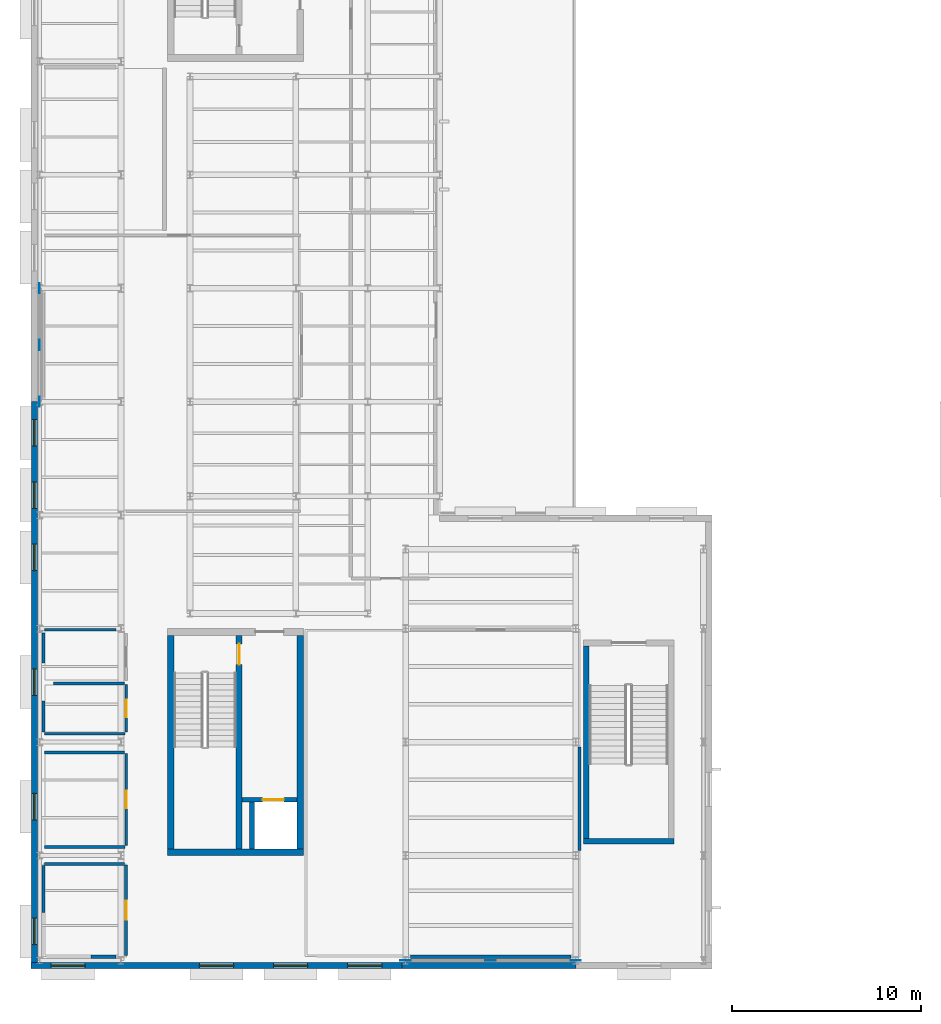
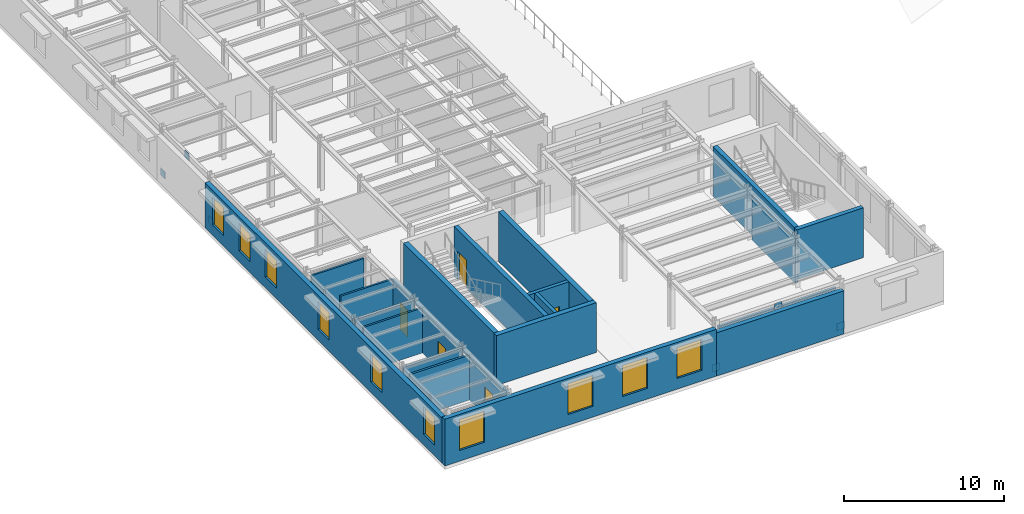
# One storey, part 4 of 13: 26 walls, 10 windows, 6 plates, 5 doors, 15 openings.
"""IFC4 building model written with IfcOpenShell, lengths in metres."""

from ifc_helpers import new_model, si_unit, direction, frame, frame_2d, origin, origin_2d, place, context, subcontext, project, spatial, rectangle, extrude, material, layer, layer_set, type_object, element, fill, save


model = new_model("IFC4")

# Units and contexts
model_context = context("Model", 3, precision=1e-05, world=origin(), true_north=direction((0.0, 1.0)))
body_context = subcontext(model_context, "Body", "Model", "MODEL_VIEW")
ifc_project = project(units=[si_unit("LENGTHUNIT", "METRE"), si_unit("AREAUNIT", "SQUARE_METRE"), si_unit("VOLUMEUNIT", "CUBIC_METRE"), si_unit("PLANEANGLEUNIT", "RADIAN"), si_unit("MASSUNIT", "GRAM", prefix="KILO")], contexts=[model_context])

# Site, building, storey
site_placement = place(None, origin())
site = spatial("IfcSite", under=ifc_project, at=site_placement, CompositionType="ELEMENT")
building_placement = place(site_placement, origin())
building = spatial("IfcBuilding", under=site, at=building_placement, Name="Kolvaren Corner Interchange", CompositionType="ELEMENT")
storey_placement = place(building_placement, frame((0.0, 0.0, 14.699951171875)))
storey = spatial("IfcBuildingStorey", under=building, at=storey_placement, Name="L04", CompositionType="ELEMENT", Elevation=14.699951171875)

# Plates
ifc_material_1 = material(Name="Steel S355", Category="steel")
ifc_layer_1 = layer(ifc_material_1, 0.02490234375)
ifc_layer_set_1 = layer_set([ifc_layer_1], Name="Steel S355")
plate_type = type_object("IfcPlateType", Name="PL-GUSSET-25", PredefinedType="USERDEFINED", material=ifc_layer_set_1)
for number, where, z_axis, x_axis, name in (
    (1, (19.800048828125, 0.449951171875, 0.06494140625), (0.0, 0.0, 1.0), (1.0, 0.0, 0.0), "Storey L04 Bolted Steel Gusset Plate 04 Base Left"),
    (2, (28.800048828125, 0.449951171875, 0.06494140625), (0.0, 0.0, 1.0), (1.0, 0.0, 0.0), "Storey L04 Bolted Steel Gusset Plate 04 Base Right"),
    (3, (24.300048828125, 0.449951171875, 3.18017578125), (0.0, 0.0, 1.0), (1.0, 0.0, 0.0), "Storey L04 Bolted Steel Gusset Plate 04 Apex"),
    (4, (0.449951171875, 30.0, 0.06494140625), (0.0, 0.0, 1.0), (0.0, 1.0, 0.0), "Storey L04 Bolted Steel Gusset Plate 09 Base Left"),
    (5, (0.449951171875, 36.0, 0.06494140625), (0.0, 0.0, 1.0), (0.0, 1.0, 0.0), "Storey L04 Bolted Steel Gusset Plate 09 Base Right"),
    (6, (0.449951171875, 33.0, 3.25), (0.0, 0.0, 1.0), (0.0, 1.0, 0.0), "Storey L04 Bolted Steel Gusset Plate 09 Apex"),
):
    element("IfcPlate", number, at=place(storey_placement, frame(where, z_axis=z_axis, x_axis=x_axis)), inside=storey, type_object=plate_type, Name=name, ObjectType="GUSSET PLATE", PredefinedType="USERDEFINED", context=body_context, shape_type="SweptSolid", body=[
        extrude(rectangle(XDim=0.550048828125, YDim=0.02490234375, at=origin_2d()), origin(), (0.0, 0.0, 1.0), 0.550048828125),
    ])

# Walls
ifc_material_2 = material(Name="Concrete C35/45", Category="concrete")
ifc_layer_2 = layer(ifc_material_2, 0.35009765625)
ifc_layer_set_2 = layer_set([ifc_layer_2], Name="Concrete C35/45")
wall_type_1 = type_object("IfcWallType", Name="WL-CORE-350", PredefinedType="SHEAR", material=ifc_layer_set_2)
wall_1_placement = place(storey_placement, frame((7.199951171875, 6.175048828125, 0.0), z_axis=(0.0, 0.0, 1.0), x_axis=(1.0, 0.0, 0.0)))
element("IfcWall", 7, at=wall_1_placement, inside=storey, type_object=wall_type_1, Name="Core C1 L04 South Shear Wall", PredefinedType="SHEAR", context=body_context, shape_type="SweptSolid", body=[
    extrude(rectangle(XDim=7.199951171875, YDim=0.35009765625, at=frame_2d((3.60009765625, 0.0))), origin(), (0.0, 0.0, 1.0), 3.800048828125),
])
for number, where, z_axis, x_axis, name in (
    (8, (7.375, 6.35009765625, 0.0), (0.0, 0.0, 1.0), (0.0, 1.0, 0.0), "Core C1 L04 West Shear Wall"),
    (9, (14.22509765625, 6.35009765625, 0.0), (0.0, 0.0, 1.0), (0.0, 1.0, 0.0), "Core C1 L04 East Shear Wall"),
):
    element("IfcWall", number, at=place(storey_placement, frame(where, z_axis=z_axis, x_axis=x_axis)), inside=storey, type_object=wall_type_1, Name=name, PredefinedType="SHEAR", context=body_context, shape_type="SweptSolid", body=[
        extrude(rectangle(XDim=11.2998046875, YDim=0.35009765625, at=frame_2d((5.64990234375, 0.0))), origin(), (0.0, 0.0, 1.0), 3.800048828125),
    ])

# Wall, opening, door
ifc_material_3 = material(Name="Concrete C35/45", Category="concrete")
ifc_layer_3 = layer(ifc_material_3, 0.31005859375)
ifc_layer_set_3 = layer_set([ifc_layer_3], Name="Concrete C35/45")
wall_type_2 = type_object("IfcWallType", Name="WL-STAIR-300", PredefinedType="SHEAR", material=ifc_layer_set_3)
wall_2_placement = place(storey_placement, frame((11.0, 6.35009765625, 0.0), z_axis=(0.0, 0.0, 1.0), x_axis=(0.0, 1.0, 0.0)))
wall_2 = element("IfcWall", 10, at=wall_2_placement, inside=storey, type_object=wall_type_2, Name="Core C1 L04 Firefighting Stairwell Divider Wall", PredefinedType="SHEAR", context=body_context, shape_type="SweptSolid", body=[
    extrude(rectangle(XDim=11.2998046875, YDim=0.31005859375, at=frame_2d((5.64990234375, 0.0))), origin(), (0.0, 0.0, 1.0), 3.800048828125),
])
opening_1_placement = place(wall_2_placement, frame((9.75, 0.0, 0.0)))
opening_1 = element("IfcOpeningElement", 11, at=opening_1_placement, cuts=wall_2, Name="Opening D-F03", PredefinedType="OPENING", context=body_context, shape_type="SweptSolid", body=[
    extrude(rectangle(XDim=1.10009765625, YDim=2.14990234375, at=frame_2d((0.550048828125, 1.074951171875))), frame((0.0, 0.1650390625, 0.0), z_axis=(0.0, -1.0, 0.0), x_axis=(1.0, 0.0, 0.0)), (0.0, 0.0, 1.0), 0.330078125),
])
ifc_material_4 = material(Name="Powder-coated Fire-rated Steel Sheet", Category="steel")
door_type_1 = type_object("IfcDoorType", Name="DT-FD-1100x2150", OperationType="NOTDEFINED", PredefinedType="DOOR", material=ifc_material_4)
door_1_placement = place(opening_1_placement, origin())
door_1 = element("IfcDoor", 12, at=door_1_placement, inside=storey, type_object=door_type_1, Name="Core C1 Southwest Firefighting Stair L04 Protected Exit Door", OperationType="SINGLE_SWING_RIGHT", OverallHeight=2.14990234375, OverallWidth=1.10009765625, PredefinedType="DOOR", context=body_context, shape_type="SweptSolid", body=[
    extrude(rectangle(XDim=1.10009765625, YDim=2.14990234375, at=frame_2d((0.550048828125, 1.074951171875))), frame((0.0, 0.02490234375, 0.0), z_axis=(0.0, -1.0, 0.0), x_axis=(1.0, 0.0, 0.0)), (0.0, 0.0, 1.0), 0.050048828125),
])
fill(opening_1, door_1)

# Walls
wall_3_placement = place(storey_placement, frame((29.199951171875, 6.7548828125, 0.0), z_axis=(0.0, 0.0, 1.0), x_axis=(1.0, 0.0, 0.0)))
element("IfcWall", 13, at=wall_3_placement, inside=storey, type_object=wall_type_2, Name="Operations South Bar Protected Exit Stair L04 South Enclosure Wall", PredefinedType="SHEAR", context=body_context, shape_type="SweptSolid", body=[
    extrude(rectangle(XDim=4.800048828125, YDim=0.31005859375, at=frame_2d((2.39990234375, 0.0))), origin(), (0.0, 0.0, 1.0), 3.800048828125),
])
wall_4_placement = place(storey_placement, frame((29.35498046875, 6.909912109375, 0.0), z_axis=(0.0, 0.0, 1.0), x_axis=(0.0, 1.0, 0.0)))
element("IfcWall", 14, at=wall_4_placement, inside=storey, type_object=wall_type_2, Name="Operations South Bar Protected Exit Stair L04 West Enclosure Wall", PredefinedType="SHEAR", context=body_context, shape_type="SweptSolid", body=[
    extrude(rectangle(XDim=10.18017578125, YDim=0.31005859375, at=frame_2d((5.090087890625, 0.0))), origin(), (0.0, 0.0, 1.0), 3.800048828125),
])

# Wall, openings, windows
ifc_material_5 = material(Name="Cream Architectural Terracotta Rainscreen Assembly", Category="masonry")
ifc_layer_4 = layer(ifc_material_5, 0.330078125)
ifc_layer_set_4 = layer_set([ifc_layer_4], Name="Cream Architectural Terracotta Rainscreen Assembly")
wall_type_3 = type_object("IfcWallType", Name="WT-EXT-TC320", PredefinedType="SOLIDWALL", material=ifc_layer_set_4)
wall_5_placement = place(storey_placement, frame((0.0, 0.179931640625, 0.0), z_axis=(0.0, 0.0, 1.0), x_axis=(1.0, 0.0, 0.0)))
wall_5 = element("IfcWall", 15, at=wall_5_placement, inside=storey, type_object=wall_type_3, Name="Operations Boulevard South Facade Wall 0037", PredefinedType="SOLIDWALL", context=body_context, shape_type="SweptSolid", body=[
    extrude(rectangle(XDim=19.60009765625, YDim=0.330078125, at=frame_2d((9.800048828125, 0.0))), origin(), (0.0, 0.0, 1.0), 3.574951171875),
])
opening_2_placement = place(wall_5_placement, frame((1.06005859375, 0.0, 0.820068359375)))
opening_2 = element("IfcOpeningElement", 16, at=opening_2_placement, cuts=wall_5, Name="Opening W-03", PredefinedType="OPENING", context=body_context, shape_type="SweptSolid", body=[
    extrude(rectangle(XDim=1.800048828125, YDim=2.35009765625, at=frame_2d((0.89990234375, 1.175048828125))), frame((0.0, 0.175048828125, 0.0), z_axis=(0.0, -1.0, 0.0), x_axis=(1.0, 0.0, 0.0)), (0.0, 0.0, 1.0), 0.35009765625),
])
opening_3_placement = place(wall_5_placement, frame((8.89990234375, 0.0, 0.820068359375)))
opening_3 = element("IfcOpeningElement", 17, at=opening_3_placement, cuts=wall_5, Name="Opening W-03", PredefinedType="OPENING", context=body_context, shape_type="SweptSolid", body=[
    extrude(rectangle(XDim=1.800048828125, YDim=2.35009765625, at=frame_2d((0.89990234375, 1.175048828125))), frame((0.0, 0.175048828125, 0.0), z_axis=(0.0, -1.0, 0.0), x_axis=(1.0, 0.0, 0.0)), (0.0, 0.0, 1.0), 0.35009765625),
])
opening_4_placement = place(wall_5_placement, frame((12.820068359375, 0.0, 0.820068359375)))
opening_4 = element("IfcOpeningElement", 18, at=opening_4_placement, cuts=wall_5, Name="Opening W-03", PredefinedType="OPENING", context=body_context, shape_type="SweptSolid", body=[
    extrude(rectangle(XDim=1.800048828125, YDim=2.35009765625, at=frame_2d((0.89990234375, 1.175048828125))), frame((0.0, 0.175048828125, 0.0), z_axis=(0.0, -1.0, 0.0), x_axis=(1.0, 0.0, 0.0)), (0.0, 0.0, 1.0), 0.35009765625),
])
opening_5_placement = place(wall_5_placement, frame((16.739990234375, 0.0, 0.820068359375)))
opening_5 = element("IfcOpeningElement", 19, at=opening_5_placement, cuts=wall_5, Name="Opening W-03", PredefinedType="OPENING", context=body_context, shape_type="SweptSolid", body=[
    extrude(rectangle(XDim=1.800048828125, YDim=2.35009765625, at=frame_2d((0.89990234375, 1.175048828125))), frame((0.0, 0.175048828125, 0.0), z_axis=(0.0, -1.0, 0.0), x_axis=(1.0, 0.0, 0.0)), (0.0, 0.0, 1.0), 0.35009765625),
])
ifc_material_6 = material(Name="Thermally Broken Aluminium and Solar-Control Double Glazing", Category="aluminium")
window_type_1 = type_object("IfcWindowType", Name="WT-CHI-1800x2400", PartitioningType="DOUBLE_PANEL_VERTICAL", PredefinedType="WINDOW", material=ifc_material_6)
window_1_placement = place(opening_2_placement, origin())
window_1 = element("IfcWindow", 20, at=window_1_placement, inside=storey, type_object=window_type_1, Name="L04 Operations Boulevard South Facade Window 0086", OverallHeight=2.35009765625, OverallWidth=1.800048828125, PartitioningType="SINGLE_PANEL", PredefinedType="WINDOW", context=body_context, shape_type="SweptSolid", body=[
    extrude(rectangle(XDim=1.800048828125, YDim=2.35009765625, at=frame_2d((0.89990234375, 1.175048828125))), frame((0.0, 0.030029296875, 0.0), z_axis=(0.0, -1.0, 0.0), x_axis=(1.0, 0.0, 0.0)), (0.0, 0.0, 1.0), 0.06005859375),
])
fill(opening_2, window_1)
window_2_placement = place(opening_3_placement, origin())
window_2 = element("IfcWindow", 21, at=window_2_placement, inside=storey, type_object=window_type_1, Name="L04 Operations Boulevard South Facade Window 0087", OverallHeight=2.35009765625, OverallWidth=1.800048828125, PartitioningType="SINGLE_PANEL", PredefinedType="WINDOW", context=body_context, shape_type="SweptSolid", body=[
    extrude(rectangle(XDim=1.800048828125, YDim=2.35009765625, at=frame_2d((0.89990234375, 1.175048828125))), frame((0.0, 0.030029296875, 0.0), z_axis=(0.0, -1.0, 0.0), x_axis=(1.0, 0.0, 0.0)), (0.0, 0.0, 1.0), 0.06005859375),
])
fill(opening_3, window_2)
window_3_placement = place(opening_4_placement, origin())
window_3 = element("IfcWindow", 22, at=window_3_placement, inside=storey, type_object=window_type_1, Name="L04 Operations Boulevard South Facade Window 0088", OverallHeight=2.35009765625, OverallWidth=1.800048828125, PartitioningType="SINGLE_PANEL", PredefinedType="WINDOW", context=body_context, shape_type="SweptSolid", body=[
    extrude(rectangle(XDim=1.800048828125, YDim=2.35009765625, at=frame_2d((0.89990234375, 1.175048828125))), frame((0.0, 0.030029296875, 0.0), z_axis=(0.0, -1.0, 0.0), x_axis=(1.0, 0.0, 0.0)), (0.0, 0.0, 1.0), 0.06005859375),
])
fill(opening_4, window_3)
window_4_placement = place(opening_5_placement, origin())
window_4 = element("IfcWindow", 23, at=window_4_placement, inside=storey, type_object=window_type_1, Name="L04 Operations Boulevard South Facade Window 0089", OverallHeight=2.35009765625, OverallWidth=1.800048828125, PartitioningType="SINGLE_PANEL", PredefinedType="WINDOW", context=body_context, shape_type="SweptSolid", body=[
    extrude(rectangle(XDim=1.800048828125, YDim=2.35009765625, at=frame_2d((0.89990234375, 1.175048828125))), frame((0.0, 0.030029296875, 0.0), z_axis=(0.0, -1.0, 0.0), x_axis=(1.0, 0.0, 0.0)), (0.0, 0.0, 1.0), 0.06005859375),
])
fill(opening_5, window_4)

# Wall
wall_6_placement = place(storey_placement, frame((19.60009765625, 0.179931640625, 0.0), z_axis=(0.0, 0.0, 1.0), x_axis=(1.0, 0.0, 0.0)))
element("IfcWall", 24, at=wall_6_placement, inside=storey, type_object=wall_type_3, Name="Operations Boulevard South Facade Wall 0038", PredefinedType="SOLIDWALL", context=body_context, shape_type="SweptSolid", body=[
    extrude(rectangle(XDim=9.199951171875, YDim=0.330078125, at=frame_2d((4.60009765625, 0.0))), origin(), (0.0, 0.0, 1.0), 3.295166015625),
])

# Wall, openings, windows
wall_7_placement = place(storey_placement, frame((0.169921875, 30.0, 0.0), z_axis=(0.0, 0.0, 1.0), x_axis=(0.0, -1.0, 0.0)))
wall_7 = element("IfcWall", 25, at=wall_7_placement, inside=storey, type_object=wall_type_3, Name="Operations Trelmava Street West Facade Wall 0048", PredefinedType="SOLIDWALL", context=body_context, shape_type="SweptSolid", body=[
    extrude(rectangle(XDim=29.655029296875, YDim=0.330078125, at=frame_2d((14.82763671875, 0.0))), origin(), (0.0, 0.0, 1.0), 3.43505859375),
])
opening_6_placement = place(wall_7_placement, frame((0.947509765625, 0.0, 0.820068359375)))
opening_6 = element("IfcOpeningElement", 26, at=opening_6_placement, cuts=wall_7, Name="Opening W-14", PredefinedType="OPENING", context=body_context, shape_type="SweptSolid", body=[
    extrude(rectangle(XDim=1.39990234375, YDim=2.10009765625, at=frame_2d((0.699951171875, 1.050048828125))), frame((0.0, 0.175048828125, 0.0), z_axis=(0.0, -1.0, 0.0), x_axis=(1.0, 0.0, 0.0)), (0.0, 0.0, 1.0), 0.35009765625),
])
opening_7_placement = place(wall_7_placement, frame((4.242431640625, 0.0, 0.820068359375)))
opening_7 = element("IfcOpeningElement", 27, at=opening_7_placement, cuts=wall_7, Name="Opening W-14", PredefinedType="OPENING", context=body_context, shape_type="SweptSolid", body=[
    extrude(rectangle(XDim=1.39990234375, YDim=2.10009765625, at=frame_2d((0.699951171875, 1.050048828125))), frame((0.0, 0.175048828125, 0.0), z_axis=(0.0, -1.0, 0.0), x_axis=(1.0, 0.0, 0.0)), (0.0, 0.0, 1.0), 0.35009765625),
])
opening_8_placement = place(wall_7_placement, frame((7.53759765625, 0.0, 0.820068359375)))
opening_8 = element("IfcOpeningElement", 28, at=opening_8_placement, cuts=wall_7, Name="Opening W-14", PredefinedType="OPENING", context=body_context, shape_type="SweptSolid", body=[
    extrude(rectangle(XDim=1.39990234375, YDim=2.10009765625, at=frame_2d((0.699951171875, 1.050048828125))), frame((0.0, 0.175048828125, 0.0), z_axis=(0.0, -1.0, 0.0), x_axis=(1.0, 0.0, 0.0)), (0.0, 0.0, 1.0), 0.35009765625),
])
opening_9_placement = place(wall_7_placement, frame((14.12744140625, 0.0, 0.820068359375)))
opening_9 = element("IfcOpeningElement", 29, at=opening_9_placement, cuts=wall_7, Name="Opening W-14", PredefinedType="OPENING", context=body_context, shape_type="SweptSolid", body=[
    extrude(rectangle(XDim=1.39990234375, YDim=2.10009765625, at=frame_2d((0.699951171875, 1.050048828125))), frame((0.0, 0.175048828125, 0.0), z_axis=(0.0, -1.0, 0.0), x_axis=(1.0, 0.0, 0.0)), (0.0, 0.0, 1.0), 0.35009765625),
])
opening_10_placement = place(wall_7_placement, frame((20.717529296875, 0.0, 0.820068359375)))
opening_10 = element("IfcOpeningElement", 30, at=opening_10_placement, cuts=wall_7, Name="Opening W-14", PredefinedType="OPENING", context=body_context, shape_type="SweptSolid", body=[
    extrude(rectangle(XDim=1.39990234375, YDim=2.10009765625, at=frame_2d((0.699951171875, 1.050048828125))), frame((0.0, 0.175048828125, 0.0), z_axis=(0.0, -1.0, 0.0), x_axis=(1.0, 0.0, 0.0)), (0.0, 0.0, 1.0), 0.35009765625),
])
opening_11_placement = place(wall_7_placement, frame((27.3076171875, 0.0, 0.820068359375)))
opening_11 = element("IfcOpeningElement", 31, at=opening_11_placement, cuts=wall_7, Name="Opening W-14", PredefinedType="OPENING", context=body_context, shape_type="SweptSolid", body=[
    extrude(rectangle(XDim=1.39990234375, YDim=2.10009765625, at=frame_2d((0.699951171875, 1.050048828125))), frame((0.0, 0.175048828125, 0.0), z_axis=(0.0, -1.0, 0.0), x_axis=(1.0, 0.0, 0.0)), (0.0, 0.0, 1.0), 0.35009765625),
])
ifc_material_7 = material(Name="Thermally Broken Aluminium and Solar-Control Double Glazing", Category="aluminium")
window_type_2 = type_object("IfcWindowType", Name="WT-CHI-1400x2100", PartitioningType="SINGLE_PANEL", PredefinedType="WINDOW", material=ifc_material_7)
window_5_placement = place(opening_6_placement, origin())
window_5 = element("IfcWindow", 32, at=window_5_placement, inside=storey, type_object=window_type_2, Name="L04 Operations Trelmava Street West Facade Window 0112", OverallHeight=2.10009765625, OverallWidth=1.39990234375, PartitioningType="SINGLE_PANEL", PredefinedType="WINDOW", context=body_context, shape_type="SweptSolid", body=[
    extrude(rectangle(XDim=1.39990234375, YDim=2.10009765625, at=frame_2d((0.699951171875, 1.050048828125))), frame((0.0, 0.030029296875, 0.0), z_axis=(0.0, -1.0, 0.0), x_axis=(1.0, 0.0, 0.0)), (0.0, 0.0, 1.0), 0.06005859375),
])
fill(opening_6, window_5)
window_6_placement = place(opening_7_placement, origin())
window_6 = element("IfcWindow", 33, at=window_6_placement, inside=storey, type_object=window_type_2, Name="L04 Operations Trelmava Street West Facade Window 0113", OverallHeight=2.10009765625, OverallWidth=1.39990234375, PartitioningType="SINGLE_PANEL", PredefinedType="WINDOW", context=body_context, shape_type="SweptSolid", body=[
    extrude(rectangle(XDim=1.39990234375, YDim=2.10009765625, at=frame_2d((0.699951171875, 1.050048828125))), frame((0.0, 0.030029296875, 0.0), z_axis=(0.0, -1.0, 0.0), x_axis=(1.0, 0.0, 0.0)), (0.0, 0.0, 1.0), 0.06005859375),
])
fill(opening_7, window_6)
window_7_placement = place(opening_8_placement, origin())
window_7 = element("IfcWindow", 34, at=window_7_placement, inside=storey, type_object=window_type_2, Name="L04 Operations Trelmava Street West Facade Window 0114", OverallHeight=2.10009765625, OverallWidth=1.39990234375, PartitioningType="SINGLE_PANEL", PredefinedType="WINDOW", context=body_context, shape_type="SweptSolid", body=[
    extrude(rectangle(XDim=1.39990234375, YDim=2.10009765625, at=frame_2d((0.699951171875, 1.050048828125))), frame((0.0, 0.030029296875, 0.0), z_axis=(0.0, -1.0, 0.0), x_axis=(1.0, 0.0, 0.0)), (0.0, 0.0, 1.0), 0.06005859375),
])
fill(opening_8, window_7)
window_8_placement = place(opening_9_placement, origin())
window_8 = element("IfcWindow", 35, at=window_8_placement, inside=storey, type_object=window_type_2, Name="L04 Operations Trelmava Street West Facade Window 0115", OverallHeight=2.10009765625, OverallWidth=1.39990234375, PartitioningType="SINGLE_PANEL", PredefinedType="WINDOW", context=body_context, shape_type="SweptSolid", body=[
    extrude(rectangle(XDim=1.39990234375, YDim=2.10009765625, at=frame_2d((0.699951171875, 1.050048828125))), frame((0.0, 0.030029296875, 0.0), z_axis=(0.0, -1.0, 0.0), x_axis=(1.0, 0.0, 0.0)), (0.0, 0.0, 1.0), 0.06005859375),
])
fill(opening_9, window_8)
window_9_placement = place(opening_10_placement, origin())
window_9 = element("IfcWindow", 36, at=window_9_placement, inside=storey, type_object=window_type_2, Name="L04 Operations Trelmava Street West Facade Window 0116", OverallHeight=2.10009765625, OverallWidth=1.39990234375, PartitioningType="SINGLE_PANEL", PredefinedType="WINDOW", context=body_context, shape_type="SweptSolid", body=[
    extrude(rectangle(XDim=1.39990234375, YDim=2.10009765625, at=frame_2d((0.699951171875, 1.050048828125))), frame((0.0, 0.030029296875, 0.0), z_axis=(0.0, -1.0, 0.0), x_axis=(1.0, 0.0, 0.0)), (0.0, 0.0, 1.0), 0.06005859375),
])
fill(opening_10, window_9)
window_10_placement = place(opening_11_placement, origin())
window_10 = element("IfcWindow", 37, at=window_10_placement, inside=storey, type_object=window_type_2, Name="L04 Operations Trelmava Street West Facade Window 0117", OverallHeight=2.10009765625, OverallWidth=1.39990234375, PartitioningType="SINGLE_PANEL", PredefinedType="WINDOW", context=body_context, shape_type="SweptSolid", body=[
    extrude(rectangle(XDim=1.39990234375, YDim=2.10009765625, at=frame_2d((0.699951171875, 1.050048828125))), frame((0.0, 0.030029296875, 0.0), z_axis=(0.0, -1.0, 0.0), x_axis=(1.0, 0.0, 0.0)), (0.0, 0.0, 1.0), 0.06005859375),
])
fill(opening_11, window_10)

# Walls
ifc_material_8 = material(Name="Acoustic Double-Stud Drywall Partition")
ifc_layer_5 = layer(ifc_material_8, 0.159912109375)
ifc_layer_set_5 = layer_set([ifc_layer_5], Name="Acoustic Double-Stud Drywall Partition")
wall_type_4 = type_object("IfcWallType", Name="WT-PART-AC160", PredefinedType="PARTITIONING", material=ifc_layer_set_5)
wall_8_placement = place(storey_placement, frame((20.06005859375, 0.64990234375, 0.0), z_axis=(0.0, 0.0, 1.0), x_axis=(1.0, 0.0, 0.0)))
element("IfcWall", 38, at=wall_8_placement, inside=storey, type_object=wall_type_4, Name="L04 Metro and BRT Cab Simulator Hall Partition Wall 155", PredefinedType="PARTITIONING", context=body_context, shape_type="SweptSolid", body=[
    extrude(rectangle(XDim=8.47998046875, YDim=0.159912109375, at=frame_2d((4.239990234375, 0.0))), origin(), (0.0, 0.0, 1.0), 3.295166015625),
])
wall_9_placement = place(storey_placement, frame((29.0, 6.260009765625, 0.0), z_axis=(0.0, 0.0, 1.0), x_axis=(0.0, 1.0, 0.0)))
element("IfcWall", 39, at=wall_9_placement, inside=storey, type_object=wall_type_4, Name="L04 Metro and BRT Cab Simulator Hall Partition Wall 156", PredefinedType="PARTITIONING", context=body_context, shape_type="SweptSolid", body=[
    extrude(rectangle(XDim=5.47998046875, YDim=0.159912109375, at=frame_2d((2.739990234375, 0.0))), origin(), (0.0, 0.0, 1.0), 3.43505859375),
])
wall_10_placement = place(storey_placement, frame((3.159912109375, 0.64990234375, 0.0), z_axis=(0.0, 0.0, 1.0), x_axis=(1.0, 0.0, 0.0)))
element("IfcWall", 40, at=wall_10_placement, inside=storey, type_object=wall_type_4, Name="L04 Simulator Debriefing Room Partition Wall 171", PredefinedType="PARTITIONING", context=body_context, shape_type="SweptSolid", body=[
    extrude(rectangle(XDim=1.330078125, YDim=0.159912109375, at=frame_2d((0.6650390625, 0.0))), origin(), (0.0, 0.0, 1.0), 3.43505859375),
])

# Wall, opening, door
wall_11_placement = place(storey_placement, frame((5.02001953125, 0.7099609375, 0.0), z_axis=(0.0, 0.0, 1.0), x_axis=(0.0, 1.0, 0.0)))
wall_11 = element("IfcWall", 41, at=wall_11_placement, inside=storey, type_object=wall_type_4, Name="L04 Simulator Debriefing Room Partition Wall 172", PredefinedType="PARTITIONING", context=body_context, shape_type="SweptSolid", body=[
    extrude(rectangle(XDim=4.7900390625, YDim=0.159912109375, at=frame_2d((2.39501953125, 0.0))), origin(), (0.0, 0.0, 1.0), 3.43505859375),
])
opening_12_placement = place(wall_11_placement, frame((1.89501953125, 0.0, 0.0)))
opening_12 = element("IfcOpeningElement", 42, at=opening_12_placement, cuts=wall_11, Name="Opening D-F04", PredefinedType="OPENING", context=body_context, shape_type="SweptSolid", body=[
    extrude(rectangle(XDim=1.0, YDim=2.14990234375, at=frame_2d((0.5, 1.074951171875))), frame((0.0, 0.08984375, 0.0), z_axis=(0.0, -1.0, 0.0), x_axis=(1.0, 0.0, 0.0)), (0.0, 0.0, 1.0), 0.179931640625),
])
ifc_material_9 = material(Name="Solid-Core Iroko Timber Fire Door", Category="wood")
door_type_2 = type_object("IfcDoorType", Name="DT-FD-1000x2150", OperationType="NOTDEFINED", PredefinedType="DOOR", material=ifc_material_9)
door_2_placement = place(opening_12_placement, origin())
door_2 = element("IfcDoor", 43, at=door_2_placement, inside=storey, type_object=door_type_2, Name="L04 Simulator Debriefing Room Door", OperationType="SINGLE_SWING_LEFT", OverallHeight=2.14990234375, OverallWidth=1.0, PredefinedType="DOOR", context=body_context, shape_type="SweptSolid", body=[
    extrude(rectangle(XDim=1.0, YDim=2.14990234375, at=frame_2d((0.5, 1.074951171875))), frame((0.0, 0.02490234375, 0.0), z_axis=(0.0, -1.0, 0.0), x_axis=(1.0, 0.0, 0.0)), (0.0, 0.0, 1.0), 0.050048828125),
])
fill(opening_12, door_2)

# Walls
wall_12_placement = place(storey_placement, frame((4.93798828125, 5.550048828125, 0.0), z_axis=(0.0, 0.0, 1.0), x_axis=(-1.0, 0.0, 0.0)))
element("IfcWall", 44, at=wall_12_placement, inside=storey, type_object=wall_type_4, Name="L04 Simulator Debriefing Room Partition Wall 173", PredefinedType="PARTITIONING", context=body_context, shape_type="SweptSolid", body=[
    extrude(rectangle(XDim=4.238037109375, YDim=0.159912109375, at=frame_2d((2.119140625, 0.0))), origin(), (0.0, 0.0, 1.0), 3.43505859375),
])
wall_13_placement = place(storey_placement, frame((0.64990234375, 5.468017578125, 0.0), z_axis=(0.0, 0.0, 1.0), x_axis=(0.0, -1.0, 0.0)))
element("IfcWall", 45, at=wall_13_placement, inside=storey, type_object=wall_type_4, Name="L04 Simulator Debriefing Room Partition Wall 174", PredefinedType="PARTITIONING", context=body_context, shape_type="SweptSolid", body=[
    extrude(rectangle(XDim=2.4755859375, YDim=0.159912109375, at=frame_2d((1.23779296875, 0.0))), origin(), (0.0, 0.0, 1.0), 3.43505859375),
])
ifc_material_10 = material(Name="Moisture-Resistant Ceramic Tile Partition")
ifc_layer_6 = layer(ifc_material_10, 0.139892578125)
ifc_layer_set_6 = layer_set([ifc_layer_6], Name="Moisture-Resistant Ceramic Tile Partition")
wall_type_5 = type_object("IfcWallType", Name="WT-PART-WC140", PredefinedType="PARTITIONING", material=ifc_layer_set_6)
wall_14_placement = place(storey_placement, frame((0.699951171875, 6.449951171875, 0.0), z_axis=(0.0, 0.0, 1.0), x_axis=(1.0, 0.0, 0.0)))
element("IfcWall", 46, at=wall_14_placement, inside=storey, type_object=wall_type_5, Name="L04 Male WC Partition Wall 175", PredefinedType="PARTITIONING", context=body_context, shape_type="SweptSolid", body=[
    extrude(rectangle(XDim=4.27001953125, YDim=0.139892578125, at=frame_2d((2.135009765625, 0.0))), origin(), (0.0, 0.0, 1.0), 3.43505859375),
])

# Wall, opening, door
wall_15_placement = place(storey_placement, frame((5.02001953125, 6.52197265625, 0.0), z_axis=(0.0, 0.0, 1.0), x_axis=(0.0, 1.0, 0.0)))
wall_15 = element("IfcWall", 47, at=wall_15_placement, inside=storey, type_object=wall_type_5, Name="L04 Male WC Partition Wall 176", PredefinedType="PARTITIONING", context=body_context, shape_type="SweptSolid", body=[
    extrude(rectangle(XDim=4.8779296875, YDim=0.139892578125, at=frame_2d((2.43896484375, 0.0))), origin(), (0.0, 0.0, 1.0), 3.43505859375),
])
opening_13_placement = place(wall_15_placement, frame((1.97900390625, 0.0, 0.0)))
opening_13 = element("IfcOpeningElement", 48, at=opening_13_placement, cuts=wall_15, Name="Opening D-I04", PredefinedType="OPENING", context=body_context, shape_type="SweptSolid", body=[
    extrude(rectangle(XDim=0.919921875, YDim=2.080078125, at=frame_2d((0.4599609375, 1.0400390625))), frame((0.0, 0.079833984375, 0.0), z_axis=(0.0, -1.0, 0.0), x_axis=(1.0, 0.0, 0.0)), (0.0, 0.0, 1.0), 0.159912109375),
])
ifc_material_11 = material(Name="Moisture-Resistant Laminate Timber Door", Category="wood")
door_type_3 = type_object("IfcDoorType", Name="DT-WC-920x2100", OperationType="NOTDEFINED", PredefinedType="DOOR", material=ifc_material_11)
door_3_placement = place(opening_13_placement, origin())
door_3 = element("IfcDoor", 49, at=door_3_placement, inside=storey, type_object=door_type_3, Name="L04 Male WC Door", OperationType="SINGLE_SWING_RIGHT", OverallHeight=2.080078125, OverallWidth=0.919921875, PredefinedType="DOOR", context=body_context, shape_type="SweptSolid", body=[
    extrude(rectangle(XDim=0.919921875, YDim=2.080078125, at=frame_2d((0.4599609375, 1.0400390625))), frame((0.0, 0.02490234375, 0.0), z_axis=(0.0, -1.0, 0.0), x_axis=(1.0, 0.0, 0.0)), (0.0, 0.0, 1.0), 0.050048828125),
])
fill(opening_13, door_3)

# Walls
wall_16_placement = place(storey_placement, frame((4.947998046875, 11.449951171875, 0.0), z_axis=(0.0, 0.0, 1.0), x_axis=(-1.0, 0.0, 0.0)))
element("IfcWall", 50, at=wall_16_placement, inside=storey, type_object=wall_type_5, Name="L04 Male WC Partition Wall 177", PredefinedType="PARTITIONING", context=body_context, shape_type="SweptSolid", body=[
    extrude(rectangle(XDim=4.248046875, YDim=0.139892578125, at=frame_2d((2.1240234375, 0.0))), origin(), (0.0, 0.0, 1.0), 3.43505859375),
])
wall_17_placement = place(storey_placement, frame((0.699951171875, 12.449951171875, 0.0), z_axis=(0.0, 0.0, 1.0), x_axis=(1.0, 0.0, 0.0)))
element("IfcWall", 51, at=wall_17_placement, inside=storey, type_object=wall_type_5, Name="L04 Female WC Partition Wall 178", PredefinedType="PARTITIONING", context=body_context, shape_type="SweptSolid", body=[
    extrude(rectangle(XDim=4.27001953125, YDim=0.139892578125, at=frame_2d((2.135009765625, 0.0))), origin(), (0.0, 0.0, 1.0), 3.43505859375),
])

# Wall, opening, door
wall_18_placement = place(storey_placement, frame((5.02001953125, 12.52197265625, 0.0), z_axis=(0.0, 0.0, 1.0), x_axis=(0.0, 1.0, 0.0)))
wall_18 = element("IfcWall", 52, at=wall_18_placement, inside=storey, type_object=wall_type_5, Name="L04 Female WC Partition Wall 179", PredefinedType="PARTITIONING", context=body_context, shape_type="SweptSolid", body=[
    extrude(rectangle(XDim=2.528076171875, YDim=0.139892578125, at=frame_2d((1.26416015625, 0.0))), origin(), (0.0, 0.0, 1.0), 3.43505859375),
])
opening_14_placement = place(wall_18_placement, frame((0.803955078125, 0.0, 0.0)))
opening_14 = element("IfcOpeningElement", 53, at=opening_14_placement, cuts=wall_18, Name="Opening D-I04", PredefinedType="OPENING", context=body_context, shape_type="SweptSolid", body=[
    extrude(rectangle(XDim=0.919921875, YDim=2.080078125, at=frame_2d((0.4599609375, 1.0400390625))), frame((0.0, 0.079833984375, 0.0), z_axis=(0.0, -1.0, 0.0), x_axis=(1.0, 0.0, 0.0)), (0.0, 0.0, 1.0), 0.159912109375),
])
door_4_placement = place(opening_14_placement, origin())
door_4 = element("IfcDoor", 54, at=door_4_placement, inside=storey, type_object=door_type_3, Name="L04 Female WC Door", OperationType="SINGLE_SWING_LEFT", OverallHeight=2.080078125, OverallWidth=0.919921875, PredefinedType="DOOR", context=body_context, shape_type="SweptSolid", body=[
    extrude(rectangle(XDim=0.919921875, YDim=2.080078125, at=frame_2d((0.4599609375, 1.0400390625))), frame((0.0, 0.02490234375, 0.0), z_axis=(0.0, -1.0, 0.0), x_axis=(1.0, 0.0, 0.0)), (0.0, 0.0, 1.0), 0.050048828125),
])
fill(opening_14, door_4)

# Walls
wall_19_placement = place(storey_placement, frame((4.947998046875, 15.10009765625, 0.0), z_axis=(0.0, 0.0, 1.0), x_axis=(-1.0, 0.0, 0.0)))
element("IfcWall", 55, at=wall_19_placement, inside=storey, type_object=wall_type_5, Name="L04 Female WC Partition Wall 180", PredefinedType="PARTITIONING", context=body_context, shape_type="SweptSolid", body=[
    extrude(rectangle(XDim=3.778076171875, YDim=0.139892578125, at=frame_2d((1.88916015625, 0.0))), origin(), (0.0, 0.0, 1.0), 3.43505859375),
])
wall_20_placement = place(storey_placement, frame((0.64990234375, 14.172607421875, 0.0), z_axis=(0.0, 0.0, 1.0), x_axis=(0.0, -1.0, 0.0)))
element("IfcWall", 56, at=wall_20_placement, inside=storey, type_object=wall_type_5, Name="L04 Female WC Partition Wall 181", PredefinedType="PARTITIONING", context=body_context, shape_type="SweptSolid", body=[
    extrude(rectangle(XDim=1.650634765625, YDim=0.139892578125, at=frame_2d((0.8251953125, 0.0))), origin(), (0.0, 0.0, 1.0), 3.43505859375),
])
wall_21_placement = place(storey_placement, frame((4.489990234375, 17.949951171875, 0.0), z_axis=(0.0, 0.0, 1.0), x_axis=(-1.0, 0.0, 0.0)))
element("IfcWall", 57, at=wall_21_placement, inside=storey, type_object=wall_type_5, Name="L04 Accessible WC Partition Wall 183", PredefinedType="PARTITIONING", context=body_context, shape_type="SweptSolid", body=[
    extrude(rectangle(XDim=3.7900390625, YDim=0.139892578125, at=frame_2d((1.89501953125, 0.0))), origin(), (0.0, 0.0, 1.0), 3.43505859375),
])
wall_22_placement = place(storey_placement, frame((0.64990234375, 17.760009765625, 0.0), z_axis=(0.0, 0.0, 1.0), x_axis=(0.0, -1.0, 0.0)))
element("IfcWall", 58, at=wall_22_placement, inside=storey, type_object=wall_type_5, Name="L04 Accessible WC Partition Wall 184", PredefinedType="PARTITIONING", context=body_context, shape_type="SweptSolid", body=[
    extrude(rectangle(XDim=1.58740234375, YDim=0.139892578125, at=frame_2d((0.793701171875, 0.0))), origin(), (0.0, 0.0, 1.0), 3.43505859375),
])

# Wall, opening, door
ifc_material_12 = material(Name="Concrete C35/45", Category="concrete")
ifc_layer_7 = layer(ifc_material_12, 0.25)
ifc_layer_set_7 = layer_set([ifc_layer_7], Name="Concrete C35/45")
wall_type_6 = type_object("IfcWallType", Name="WT-SHAFT-RC250", PredefinedType="SHEAR", material=ifc_layer_set_7)
wall_23_placement = place(storey_placement, frame((11.155029296875, 8.949951171875, 0.0), z_axis=(0.0, 0.0, 1.0), x_axis=(1.0, 0.0, 0.0)))
wall_23 = element("IfcWall", 59, at=wall_23_placement, inside=storey, type_object=wall_type_6, Name="Core C1 L04 Firefighting Lift Front Shaft Wall", PredefinedType="SHEAR", context=body_context, shape_type="SweptSolid", body=[
    extrude(rectangle(XDim=2.89501953125, YDim=0.25, at=frame_2d((1.447509765625, 0.0))), origin(), (0.0, 0.0, 1.0), 3.800048828125),
])
opening_15_placement = place(wall_23_placement, frame((1.0849609375, 0.0, 0.0)))
opening_15 = element("IfcOpeningElement", 60, at=opening_15_placement, cuts=wall_23, Name="Opening LD-LF-FF1-L04", PredefinedType="OPENING", context=body_context, shape_type="SweptSolid", body=[
    extrude(rectangle(XDim=1.1201171875, YDim=2.14990234375, at=frame_2d((0.56005859375, 1.074951171875))), frame((0.0, 0.135009765625, 0.0), z_axis=(0.0, -1.0, 0.0), x_axis=(1.0, 0.0, 0.0)), (0.0, 0.0, 1.0), 0.27001953125),
])
ifc_material_13 = material(Name="Brushed Stainless Steel Landing Door", Category="steel")
door_type_4 = type_object("IfcDoorType", Name="DT-LIFT-1120", OperationType="NOTDEFINED", PredefinedType="DOOR", material=ifc_material_13)
door_5_placement = place(opening_15_placement, origin())
door_5 = element("IfcDoor", 61, at=door_5_placement, inside=storey, type_object=door_type_4, Name="Firefighting Lift LF-FF1 L04 Sliding Landing Door", OperationType="SLIDING_TO_LEFT", OverallHeight=2.14990234375, OverallWidth=1.1201171875, PredefinedType="DOOR", context=body_context, shape_type="SweptSolid", body=[
    extrude(rectangle(XDim=1.1201171875, YDim=2.14990234375, at=frame_2d((0.56005859375, 1.074951171875))), frame((0.0, 0.02490234375, 0.0), z_axis=(0.0, -1.0, 0.0), x_axis=(1.0, 0.0, 0.0)), (0.0, 0.0, 1.0), 0.050048828125),
])
fill(opening_15, door_5)

# Wall
wall_24_placement = place(storey_placement, frame((11.675048828125, 6.35009765625, 0.0), z_axis=(0.0, 0.0, 1.0), x_axis=(0.0, 1.0, 0.0)))
element("IfcWall", 62, at=wall_24_placement, inside=storey, type_object=wall_type_6, Name="Core C1 L04 Firefighting Lift Side Shaft Wall", PredefinedType="SHEAR", context=body_context, shape_type="SweptSolid", body=[
    extrude(rectangle(XDim=2.474853515625, YDim=0.25, at=frame_2d((1.2373046875, 0.0))), origin(), (0.0, 0.0, 1.0), 3.800048828125),
])

save(model, "model.ifc")
